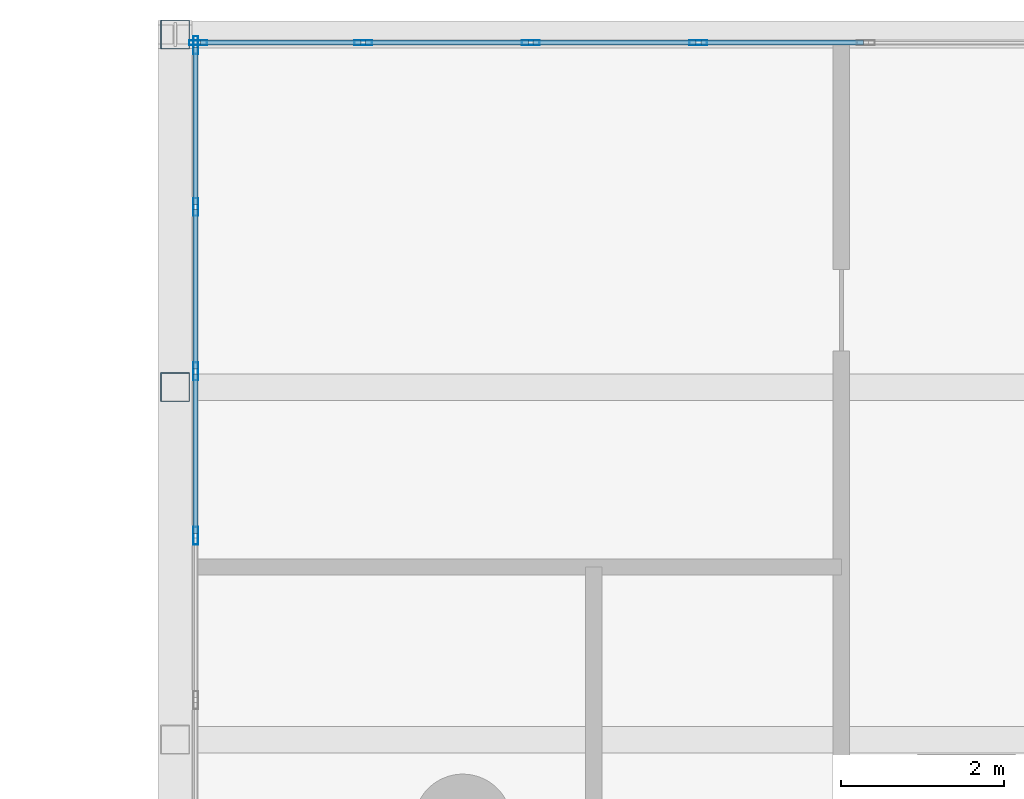
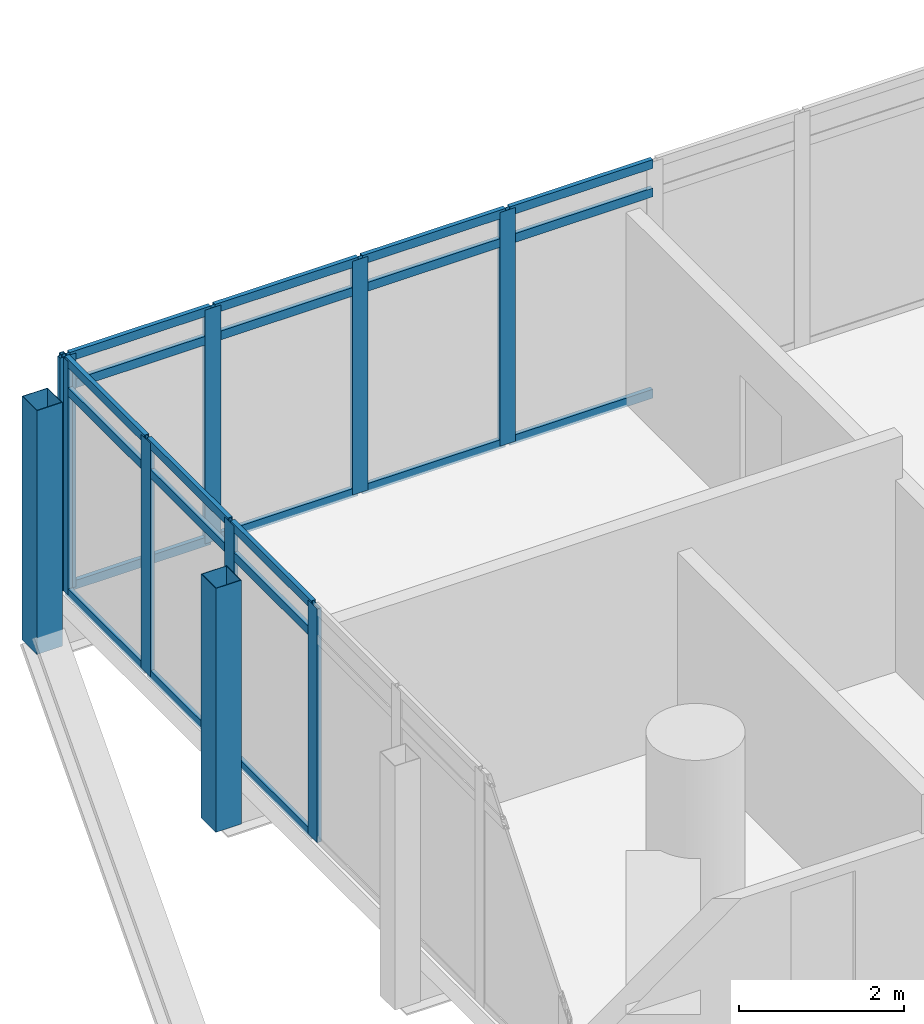
# One storey, part 18 of 37: 31 members, 2 elements without a shape of their own.
"""IFC4 building model written with IfcOpenShell, lengths in metres."""

from ifc_helpers import new_model, si_unit, direction, frame, origin, origin_2d, place, context, subcontext, project, spatial, hollow_rectangle, extrude, material, material_profile, profile_set, type_object, element, aggregate, save


model = new_model("IFC4")

# Units and contexts
model_context = context("Model", 3, precision=1e-05, world=origin(), true_north=direction((0.0, 1.0)))
body_context = subcontext(model_context, "Body", "Model", "MODEL_VIEW")
ifc_project = project(units=[si_unit("LENGTHUNIT", "METRE"), si_unit("AREAUNIT", "SQUARE_METRE"), si_unit("VOLUMEUNIT", "CUBIC_METRE"), si_unit("PLANEANGLEUNIT", "RADIAN"), si_unit("MASSUNIT", "GRAM", prefix="KILO")], contexts=[model_context])

# Site, building, storey
site_placement = place(None, origin())
site = spatial("IfcSite", under=ifc_project, at=site_placement, CompositionType="ELEMENT")
building_placement = place(site_placement, origin())
building = spatial("IfcBuilding", under=site, at=building_placement, Name="Ostrander Bayou Hotel Tower", CompositionType="ELEMENT")
storey_placement = place(building_placement, frame((0.0, 0.0, 131.0)))
storey = spatial("IfcBuildingStorey", under=building, at=storey_placement, Name="L32", CompositionType="ELEMENT", Elevation=131.0)

# Curtain wall, members
ifc_material_1 = material(Name="Aluminium and clear glass", Category="aluminium")
curtain_wall_type = type_object("IfcCurtainWallType", Name="CW-BAR glazed wall", PredefinedType="NOTDEFINED", material=ifc_material_1)
curtain_wall_1_placement = place(storey_placement, origin())
curtain_wall_1 = element("IfcCurtainWall", 1, at=curtain_wall_1_placement, inside=storey, type_object=curtain_wall_type, Name="CW-BAR L32:SB3N:E", PredefinedType="NOTDEFINED")
ifc_material_2 = material(Name="Aluminium", Category="aluminium")
ifc_material_profile_1 = material_profile(ifc_material_2, hollow_rectangle(XDim=0.06005859375, YDim=0.219970703125, WallThickness=0.00390625, at=origin_2d()))
ifc_profile_set_1 = profile_set([ifc_material_profile_1], Name="Aluminium")
member_type_1 = type_object("IfcMemberType", Name="CW-BR mullion 60 x 220 mm", PredefinedType="MULLION", material=ifc_profile_set_1)
member_1_placement = place(storey_placement, frame((-13.3671875, 22.984375, 0.0), z_axis=(0.0, 0.0, 1.0), x_axis=(-1.0, 0.0, 0.0)))
member_1 = element("IfcMember", 2, at=member_1_placement, type_object=member_type_1, Name="CW-BAR mullion 8", PredefinedType="MULLION", context=body_context, shape_type="SweptSolid", body=[
    extrude(hollow_rectangle(XDim=0.06005859375, YDim=0.219970703125, WallThickness=0.00390625, at=origin_2d()), origin(), (0.0, 0.0, 1.0), 3.449951171875),
])
member_2_placement = place(storey_placement, frame((-13.3671875, 25.001953125, 0.0), z_axis=(0.0, 0.0, 1.0), x_axis=(-1.0, 0.0, 0.0)))
member_2 = element("IfcMember", 3, at=member_2_placement, type_object=member_type_1, Name="CW-BAR mullion 9", PredefinedType="MULLION", context=body_context, shape_type="SweptSolid", body=[
    extrude(hollow_rectangle(XDim=0.06005859375, YDim=0.219970703125, WallThickness=0.00390625, at=origin_2d()), origin(), (0.0, 0.0, 1.0), 3.449951171875),
])
member_3_placement = place(storey_placement, frame((-13.3671875, 27.01953125, 0.0), z_axis=(0.0, 0.0, 1.0), x_axis=(-1.0, 0.0, 0.0)))
member_3 = element("IfcMember", 4, at=member_3_placement, type_object=member_type_1, Name="CW-BAR mullion 10", PredefinedType="MULLION", context=body_context, shape_type="SweptSolid", body=[
    extrude(hollow_rectangle(XDim=0.06005859375, YDim=0.219970703125, WallThickness=0.00390625, at=origin_2d()), origin(), (0.0, 0.0, 1.0), 3.449951171875),
])
member_4_placement = place(storey_placement, frame((-13.3671875, 29.007080078125, 0.0), z_axis=(0.0, 0.0, 1.0), x_axis=(-1.0, 0.0, 0.0)))
member_4 = element("IfcMember", 5, at=member_4_placement, type_object=member_type_1, Name="CW-BAR mullion 11", PredefinedType="MULLION", context=body_context, shape_type="SweptSolid", body=[
    extrude(hollow_rectangle(XDim=0.06005859375, YDim=0.219970703125, WallThickness=0.00390625, at=origin_2d()), origin(), (0.0, 0.0, 1.0), 3.449951171875),
])

curtain_wall_2_placement = place(storey_placement, origin())
curtain_wall_2 = element("IfcCurtainWall", 6, at=curtain_wall_2_placement, inside=storey, type_object=curtain_wall_type, Name="CW-BAR L32:SB3N:T", PredefinedType="NOTDEFINED")
member_5_placement = place(storey_placement, frame((-13.337158203125, 29.037109375, 0.0), z_axis=(0.0, 0.0, 1.0), x_axis=(0.0, 1.0, 0.0)))
member_5 = element("IfcMember", 7, at=member_5_placement, type_object=member_type_1, Name="CW-BAR mullion 1", PredefinedType="MULLION", context=body_context, shape_type="SweptSolid", body=[
    extrude(hollow_rectangle(XDim=0.06005859375, YDim=0.219970703125, WallThickness=0.00390625, at=origin_2d()), origin(), (0.0, 0.0, 1.0), 3.449951171875),
])
member_6_placement = place(storey_placement, frame((-11.310791015625, 29.037109375, 0.0), z_axis=(0.0, 0.0, 1.0), x_axis=(0.0, 1.0, 0.0)))
member_6 = element("IfcMember", 8, at=member_6_placement, type_object=member_type_1, Name="CW-BAR mullion 2", PredefinedType="MULLION", context=body_context, shape_type="SweptSolid", body=[
    extrude(hollow_rectangle(XDim=0.06005859375, YDim=0.219970703125, WallThickness=0.00390625, at=origin_2d()), origin(), (0.0, 0.0, 1.0), 3.449951171875),
])
member_7_placement = place(storey_placement, frame((-9.254150390625, 29.037109375, 0.0), z_axis=(0.0, 0.0, 1.0), x_axis=(0.0, 1.0, 0.0)))
member_7 = element("IfcMember", 9, at=member_7_placement, type_object=member_type_1, Name="CW-BAR mullion 3", PredefinedType="MULLION", context=body_context, shape_type="SweptSolid", body=[
    extrude(hollow_rectangle(XDim=0.06005859375, YDim=0.219970703125, WallThickness=0.00390625, at=origin_2d()), origin(), (0.0, 0.0, 1.0), 3.449951171875),
])
member_8_placement = place(storey_placement, frame((-7.19775390625, 29.037109375, 0.0), z_axis=(0.0, 0.0, 1.0), x_axis=(0.0, 1.0, 0.0)))
member_8 = element("IfcMember", 10, at=member_8_placement, type_object=member_type_1, Name="CW-BAR mullion 4", PredefinedType="MULLION", context=body_context, shape_type="SweptSolid", body=[
    extrude(hollow_rectangle(XDim=0.06005859375, YDim=0.219970703125, WallThickness=0.00390625, at=origin_2d()), origin(), (0.0, 0.0, 1.0), 3.449951171875),
])

# Member
ifc_material_3 = material(Name="Aluminium", Category="aluminium")
ifc_material_profile_2 = material_profile(ifc_material_3, hollow_rectangle(XDim=0.06005859375, YDim=0.1298828125, WallThickness=0.00390625, at=origin_2d()))
ifc_profile_set_2 = profile_set([ifc_material_profile_2], Name="Aluminium")
member_type_2 = type_object("IfcMemberType", Name="CW-BR transom 60 x 130 mm", PredefinedType="USERDEFINED", material=ifc_profile_set_2)
member_9_placement = place(storey_placement, frame((-13.3671875, 23.014404296875, 0.030029296875), z_axis=(0.0, 1.0, 0.0), x_axis=(-1.0, 0.0, 0.0)))
member_9 = element("IfcMember", 11, at=member_9_placement, type_object=member_type_2, Name="CW-BAR transom 8.1", ObjectType="TRANSOM", PredefinedType="USERDEFINED", context=body_context, shape_type="SweptSolid", body=[
    extrude(hollow_rectangle(XDim=0.06005859375, YDim=0.1298828125, WallThickness=0.00390625, at=origin_2d()), origin(), (0.0, 0.0, 1.0), 1.95751953125),
])

member_10_placement = place(storey_placement, frame((-13.3671875, 23.014404296875, 3.0), z_axis=(0.0, 1.0, 0.0), x_axis=(-1.0, 0.0, 0.0)))
member_10 = element("IfcMember", 12, at=member_10_placement, type_object=member_type_2, Name="CW-BAR transom 8.2", ObjectType="TRANSOM", PredefinedType="USERDEFINED", context=body_context, shape_type="SweptSolid", body=[
    extrude(hollow_rectangle(XDim=0.06005859375, YDim=0.1298828125, WallThickness=0.00390625, at=origin_2d()), origin(), (0.0, 0.0, 1.0), 1.95751953125),
])

member_11_placement = place(storey_placement, frame((-13.3671875, 23.014404296875, 3.419921875), z_axis=(0.0, 1.0, 0.0), x_axis=(-1.0, 0.0, 0.0)))
member_11 = element("IfcMember", 13, at=member_11_placement, type_object=member_type_2, Name="CW-BAR transom 8.3", ObjectType="TRANSOM", PredefinedType="USERDEFINED", context=body_context, shape_type="SweptSolid", body=[
    extrude(hollow_rectangle(XDim=0.06005859375, YDim=0.1298828125, WallThickness=0.00390625, at=origin_2d()), origin(), (0.0, 0.0, 1.0), 1.95751953125),
])

member_12_placement = place(storey_placement, frame((-13.3671875, 25.031982421875, 0.030029296875), z_axis=(0.0, 1.0, 0.0), x_axis=(-1.0, 0.0, 0.0)))
member_12 = element("IfcMember", 14, at=member_12_placement, type_object=member_type_2, Name="CW-BAR transom 9.1", ObjectType="TRANSOM", PredefinedType="USERDEFINED", context=body_context, shape_type="SweptSolid", body=[
    extrude(hollow_rectangle(XDim=0.06005859375, YDim=0.1298828125, WallThickness=0.00390625, at=origin_2d()), origin(), (0.0, 0.0, 1.0), 1.95751953125),
])

member_13_placement = place(storey_placement, frame((-13.3671875, 25.031982421875, 3.0), z_axis=(0.0, 1.0, 0.0), x_axis=(-1.0, 0.0, 0.0)))
member_13 = element("IfcMember", 15, at=member_13_placement, type_object=member_type_2, Name="CW-BAR transom 9.2", ObjectType="TRANSOM", PredefinedType="USERDEFINED", context=body_context, shape_type="SweptSolid", body=[
    extrude(hollow_rectangle(XDim=0.06005859375, YDim=0.1298828125, WallThickness=0.00390625, at=origin_2d()), origin(), (0.0, 0.0, 1.0), 1.95751953125),
])

member_14_placement = place(storey_placement, frame((-13.3671875, 25.031982421875, 3.419921875), z_axis=(0.0, 1.0, 0.0), x_axis=(-1.0, 0.0, 0.0)))
member_14 = element("IfcMember", 16, at=member_14_placement, type_object=member_type_2, Name="CW-BAR transom 9.3", ObjectType="TRANSOM", PredefinedType="USERDEFINED", context=body_context, shape_type="SweptSolid", body=[
    extrude(hollow_rectangle(XDim=0.06005859375, YDim=0.1298828125, WallThickness=0.00390625, at=origin_2d()), origin(), (0.0, 0.0, 1.0), 1.95751953125),
])

member_15_placement = place(storey_placement, frame((-13.3671875, 27.049560546875, 0.030029296875), z_axis=(0.0, 1.0, 0.0), x_axis=(-1.0, 0.0, 0.0)))
member_15 = element("IfcMember", 17, at=member_15_placement, type_object=member_type_2, Name="CW-BAR transom 10.1", ObjectType="TRANSOM", PredefinedType="USERDEFINED", context=body_context, shape_type="SweptSolid", body=[
    extrude(hollow_rectangle(XDim=0.06005859375, YDim=0.1298828125, WallThickness=0.00390625, at=origin_2d()), origin(), (0.0, 0.0, 1.0), 1.927490234375),
])

member_16_placement = place(storey_placement, frame((-13.3671875, 27.049560546875, 3.0), z_axis=(0.0, 1.0, 0.0), x_axis=(-1.0, 0.0, 0.0)))
member_16 = element("IfcMember", 18, at=member_16_placement, type_object=member_type_2, Name="CW-BAR transom 10.2", ObjectType="TRANSOM", PredefinedType="USERDEFINED", context=body_context, shape_type="SweptSolid", body=[
    extrude(hollow_rectangle(XDim=0.06005859375, YDim=0.1298828125, WallThickness=0.00390625, at=origin_2d()), origin(), (0.0, 0.0, 1.0), 1.927490234375),
])

member_17_placement = place(storey_placement, frame((-13.3671875, 27.049560546875, 3.419921875), z_axis=(0.0, 1.0, 0.0), x_axis=(-1.0, 0.0, 0.0)))
member_17 = element("IfcMember", 19, at=member_17_placement, type_object=member_type_2, Name="CW-BAR transom 10.3", ObjectType="TRANSOM", PredefinedType="USERDEFINED", context=body_context, shape_type="SweptSolid", body=[
    extrude(hollow_rectangle(XDim=0.06005859375, YDim=0.1298828125, WallThickness=0.00390625, at=origin_2d()), origin(), (0.0, 0.0, 1.0), 1.927490234375),
])

aggregate(curtain_wall_1, [member_1, member_2, member_3, member_4, member_9, member_10, member_11, member_12, member_13, member_14, member_15, member_16, member_17])

member_18_placement = place(storey_placement, frame((-13.30712890625, 29.037109375, 0.030029296875), z_axis=(1.0, 0.0, 0.0), x_axis=(0.0, 1.0, 0.0)))
member_18 = element("IfcMember", 20, at=member_18_placement, type_object=member_type_2, Name="CW-BAR transom 1.1", ObjectType="TRANSOM", PredefinedType="USERDEFINED", context=body_context, shape_type="SweptSolid", body=[
    extrude(hollow_rectangle(XDim=0.06005859375, YDim=0.1298828125, WallThickness=0.00390625, at=origin_2d()), origin(), (0.0, 0.0, 1.0), 1.96630859375),
])

member_19_placement = place(storey_placement, frame((-13.30712890625, 29.037109375, 3.0), z_axis=(1.0, 0.0, 0.0), x_axis=(0.0, 1.0, 0.0)))
member_19 = element("IfcMember", 21, at=member_19_placement, type_object=member_type_2, Name="CW-BAR transom 1.2", ObjectType="TRANSOM", PredefinedType="USERDEFINED", context=body_context, shape_type="SweptSolid", body=[
    extrude(hollow_rectangle(XDim=0.06005859375, YDim=0.1298828125, WallThickness=0.00390625, at=origin_2d()), origin(), (0.0, 0.0, 1.0), 1.96630859375),
])

member_20_placement = place(storey_placement, frame((-13.30712890625, 29.037109375, 3.419921875), z_axis=(1.0, 0.0, 0.0), x_axis=(0.0, 1.0, 0.0)))
member_20 = element("IfcMember", 22, at=member_20_placement, type_object=member_type_2, Name="CW-BAR transom 1.3", ObjectType="TRANSOM", PredefinedType="USERDEFINED", context=body_context, shape_type="SweptSolid", body=[
    extrude(hollow_rectangle(XDim=0.06005859375, YDim=0.1298828125, WallThickness=0.00390625, at=origin_2d()), origin(), (0.0, 0.0, 1.0), 1.96630859375),
])

member_21_placement = place(storey_placement, frame((-11.28076171875, 29.037109375, 0.030029296875), z_axis=(1.0, 0.0, 0.0), x_axis=(0.0, 1.0, 0.0)))
member_21 = element("IfcMember", 23, at=member_21_placement, type_object=member_type_2, Name="CW-BAR transom 2.1", ObjectType="TRANSOM", PredefinedType="USERDEFINED", context=body_context, shape_type="SweptSolid", body=[
    extrude(hollow_rectangle(XDim=0.06005859375, YDim=0.1298828125, WallThickness=0.00390625, at=origin_2d()), origin(), (0.0, 0.0, 1.0), 1.99658203125),
])

member_22_placement = place(storey_placement, frame((-11.28076171875, 29.037109375, 3.0), z_axis=(1.0, 0.0, 0.0), x_axis=(0.0, 1.0, 0.0)))
member_22 = element("IfcMember", 24, at=member_22_placement, type_object=member_type_2, Name="CW-BAR transom 2.2", ObjectType="TRANSOM", PredefinedType="USERDEFINED", context=body_context, shape_type="SweptSolid", body=[
    extrude(hollow_rectangle(XDim=0.06005859375, YDim=0.1298828125, WallThickness=0.00390625, at=origin_2d()), origin(), (0.0, 0.0, 1.0), 1.99658203125),
])

member_23_placement = place(storey_placement, frame((-11.28076171875, 29.037109375, 3.419921875), z_axis=(1.0, 0.0, 0.0), x_axis=(0.0, 1.0, 0.0)))
member_23 = element("IfcMember", 25, at=member_23_placement, type_object=member_type_2, Name="CW-BAR transom 2.3", ObjectType="TRANSOM", PredefinedType="USERDEFINED", context=body_context, shape_type="SweptSolid", body=[
    extrude(hollow_rectangle(XDim=0.06005859375, YDim=0.1298828125, WallThickness=0.00390625, at=origin_2d()), origin(), (0.0, 0.0, 1.0), 1.99658203125),
])

member_24_placement = place(storey_placement, frame((-9.22412109375, 29.037109375, 0.030029296875), z_axis=(1.0, 0.0, 0.0), x_axis=(0.0, 1.0, 0.0)))
member_24 = element("IfcMember", 26, at=member_24_placement, type_object=member_type_2, Name="CW-BAR transom 3.1", ObjectType="TRANSOM", PredefinedType="USERDEFINED", context=body_context, shape_type="SweptSolid", body=[
    extrude(hollow_rectangle(XDim=0.06005859375, YDim=0.1298828125, WallThickness=0.00390625, at=origin_2d()), origin(), (0.0, 0.0, 1.0), 1.996337890625),
])

member_25_placement = place(storey_placement, frame((-9.22412109375, 29.037109375, 3.0), z_axis=(1.0, 0.0, 0.0), x_axis=(0.0, 1.0, 0.0)))
member_25 = element("IfcMember", 27, at=member_25_placement, type_object=member_type_2, Name="CW-BAR transom 3.2", ObjectType="TRANSOM", PredefinedType="USERDEFINED", context=body_context, shape_type="SweptSolid", body=[
    extrude(hollow_rectangle(XDim=0.06005859375, YDim=0.1298828125, WallThickness=0.00390625, at=origin_2d()), origin(), (0.0, 0.0, 1.0), 1.996337890625),
])

member_26_placement = place(storey_placement, frame((-9.22412109375, 29.037109375, 3.419921875), z_axis=(1.0, 0.0, 0.0), x_axis=(0.0, 1.0, 0.0)))
member_26 = element("IfcMember", 28, at=member_26_placement, type_object=member_type_2, Name="CW-BAR transom 3.3", ObjectType="TRANSOM", PredefinedType="USERDEFINED", context=body_context, shape_type="SweptSolid", body=[
    extrude(hollow_rectangle(XDim=0.06005859375, YDim=0.1298828125, WallThickness=0.00390625, at=origin_2d()), origin(), (0.0, 0.0, 1.0), 1.996337890625),
])

member_27_placement = place(storey_placement, frame((-7.167724609375, 29.037109375, 0.030029296875), z_axis=(1.0, 0.0, 0.0), x_axis=(0.0, 1.0, 0.0)))
member_27 = element("IfcMember", 29, at=member_27_placement, type_object=member_type_2, Name="CW-BAR transom 4.1", ObjectType="TRANSOM", PredefinedType="USERDEFINED", context=body_context, shape_type="SweptSolid", body=[
    extrude(hollow_rectangle(XDim=0.06005859375, YDim=0.1298828125, WallThickness=0.00390625, at=origin_2d()), origin(), (0.0, 0.0, 1.0), 1.99658203125),
])

member_28_placement = place(storey_placement, frame((-7.167724609375, 29.037109375, 3.0), z_axis=(1.0, 0.0, 0.0), x_axis=(0.0, 1.0, 0.0)))
member_28 = element("IfcMember", 30, at=member_28_placement, type_object=member_type_2, Name="CW-BAR transom 4.2", ObjectType="TRANSOM", PredefinedType="USERDEFINED", context=body_context, shape_type="SweptSolid", body=[
    extrude(hollow_rectangle(XDim=0.06005859375, YDim=0.1298828125, WallThickness=0.00390625, at=origin_2d()), origin(), (0.0, 0.0, 1.0), 1.99658203125),
])

member_29_placement = place(storey_placement, frame((-7.167724609375, 29.037109375, 3.419921875), z_axis=(1.0, 0.0, 0.0), x_axis=(0.0, 1.0, 0.0)))
member_29 = element("IfcMember", 31, at=member_29_placement, type_object=member_type_2, Name="CW-BAR transom 4.3", ObjectType="TRANSOM", PredefinedType="USERDEFINED", context=body_context, shape_type="SweptSolid", body=[
    extrude(hollow_rectangle(XDim=0.06005859375, YDim=0.1298828125, WallThickness=0.00390625, at=origin_2d()), origin(), (0.0, 0.0, 1.0), 1.99658203125),
])

aggregate(curtain_wall_2, [member_5, member_6, member_7, member_8, member_18, member_19, member_20, member_21, member_22, member_23, member_24, member_25, member_26, member_27, member_28, member_29])

# Members
ifc_material_4 = material(Name="Steel ASTM A500 Gr C", Category="steel")
ifc_material_profile_3 = material_profile(ifc_material_4, hollow_rectangle(XDim=0.355712890625, YDim=0.355712890625, WallThickness=0.0087890625, at=origin_2d()))
ifc_profile_set_3 = profile_set([ifc_material_profile_3], Name="Steel ASTM A500 Gr C")
member_type_3 = type_object("IfcMemberType", Name="TH3 bar hanger HSS14x14x3/8", PredefinedType="POST", material=ifc_profile_set_3)
for number, where, z_axis, x_axis, name in (
    (32, (-13.6201171875, 29.13720703125, -0.771728515625), (0.0, 0.0, 1.0), (1.0, 0.0, 0.0), "TH3 SB3WA H1-1"),
    (33, (-13.6201171875, 24.809326171875, -0.771728515625), (0.0, 0.0, 1.0), (1.0, 0.0, 0.0), "TH3 SB3WA H2-1"),
):
    element("IfcMember", number, at=place(storey_placement, frame(where, z_axis=z_axis, x_axis=x_axis)), inside=storey, type_object=member_type_3, Name=name, PredefinedType="POST", context=body_context, shape_type="SweptSolid", body=[
        extrude(hollow_rectangle(XDim=0.355712890625, YDim=0.355712890625, WallThickness=0.0087890625, at=origin_2d()), origin(), (0.0, 0.0, 1.0), 3.599853515625),
    ])

save(model, "model.ifc")
